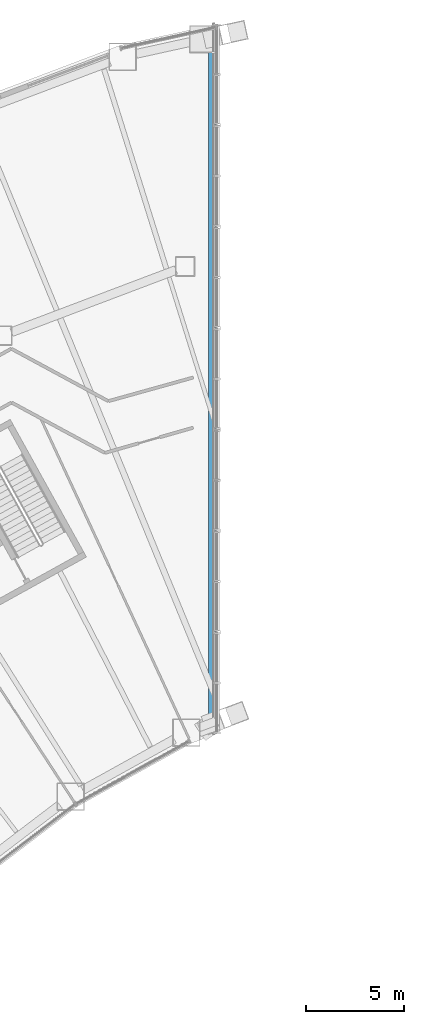
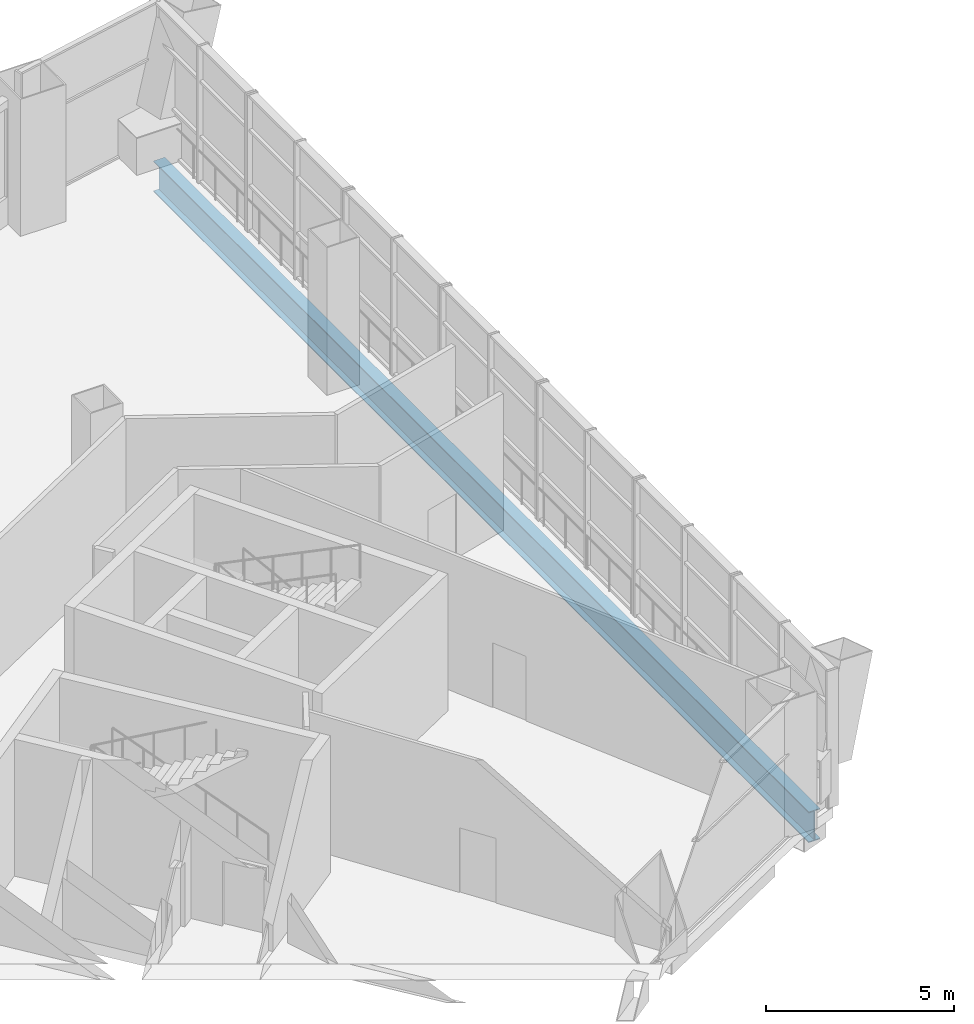
# One storey, part 8 of 26: 1 beam.
"""IFC4 building model written with IfcOpenShell, lengths in metres."""

import ifcopenshell
import ifcopenshell.guid

model = None  # the IFC model being written
_history = None  # IfcOwnerHistory: only IFC2X3 demands one
_inside = {}  # id of a spatial element -> (the spatial element, [elements in it])
_under = {}  # id of a project, library or spatial element -> (it, [spatial elements below it])
_declared = {}  # id of a project -> (the project, [libraries it declares])
_typed = {}  # id of a type object -> (the type object, [elements of that type])
_made_of = {}  # id of a material, layer set ... -> (it, [elements and type objects made of it])


def new_model(schema):
    """Start an empty IFC model of exactly this schema.

    Asked for "IFC4X3", IfcOpenShell would pick the latest addendum, in which some entities
    have other attributes; the version numbers below select the first issue.
    IFC2X3 requires an IfcOwnerHistory on every rooted entity: one is made here for all.
    """
    global model, _history
    if schema == "IFC4X3":
        model = ifcopenshell.file(schema_version=(4, 3, 0, 0))
    else:
        model = ifcopenshell.file(schema=schema)
    _inside.clear()
    _under.clear()
    _declared.clear()
    _typed.clear()
    _made_of.clear()
    _history = None
    if model.schema == "IFC2X3":
        org = make("IfcOrganization", Name="unknown")
        user = make(
            "IfcPersonAndOrganization",
            ThePerson=make("IfcPerson", FamilyName="unknown"),
            TheOrganization=org,
        )
        app = make(
            "IfcApplication",
            ApplicationDeveloper=org,
            Version="unknown",
            ApplicationFullName="unknown",
            ApplicationIdentifier="unknown",
        )
        _history = make(
            "IfcOwnerHistory",
            OwningUser=user,
            OwningApplication=app,
            ChangeAction="ADDED",
            CreationDate=0,
        )
    return model


def make(cls, **values):
    """One entity of the class cls with the attributes given. An attribute that is None is left unset."""
    return model.create_entity(
        cls, **{name: value for name, value in values.items() if value is not None}
    )


def rooted(cls, **values):
    """An entity with a GlobalId (a new one), such as an element, a storey or a relation."""
    return make(cls, GlobalId=ifcopenshell.guid.new(), OwnerHistory=_history, **values)


def si_unit(unit_type, name, prefix=None):
    """IfcSIUnit, for example si_unit("LENGTHUNIT", "METRE", prefix="MILLI")."""
    return make("IfcSIUnit", UnitType=unit_type, Prefix=prefix, Name=name)


def assignment(units):
    """IfcUnitAssignment: the units of a project."""
    return None if units is None else make("IfcUnitAssignment", Units=units)


def point(xyz):
    """IfcCartesianPoint."""
    return None if xyz is None else make("IfcCartesianPoint", Coordinates=xyz)


def direction(xyz):
    """IfcDirection."""
    return None if xyz is None else make("IfcDirection", DirectionRatios=xyz)


def frame(location, z_axis=None, x_axis=None):
    """IfcAxis2Placement3D, a coordinate frame: its origin and axes. An axis left out is left unset."""
    return make(
        "IfcAxis2Placement3D",
        Location=point(location),
        Axis=direction(z_axis),
        RefDirection=direction(x_axis),
    )


def frame_2d(location, x_axis=None):
    """IfcAxis2Placement2D, a coordinate frame in the plane: its origin and x axis."""
    return make(
        "IfcAxis2Placement2D", Location=point(location), RefDirection=direction(x_axis)
    )


def origin():
    """The frame at (0, 0, 0) with its axes left unset."""
    return frame((0.0, 0.0, 0.0))


def origin_2d():
    """The frame at (0, 0) in the plane with its x axis left unset."""
    return frame_2d((0.0, 0.0))


def place(relative_to, where):
    """IfcLocalPlacement: puts the frame where relative to a parent placement (None: the world)."""
    return make(
        "IfcLocalPlacement", PlacementRelTo=relative_to, RelativePlacement=where
    )


def context(
    kind, dimensions, precision=None, world=None, true_north=None, identifier=None
):
    """IfcGeometricRepresentationContext, for example the 3D "Model" context."""
    return make(
        "IfcGeometricRepresentationContext",
        ContextIdentifier=identifier,
        ContextType=kind,
        CoordinateSpaceDimension=dimensions,
        Precision=precision,
        WorldCoordinateSystem=world,
        TrueNorth=true_north,
    )


def subcontext(parent, identifier, kind, view, scale=None):
    """IfcGeometricRepresentationSubContext, for example "Body" below "Model"."""
    return make(
        "IfcGeometricRepresentationSubContext",
        ContextIdentifier=identifier,
        ContextType=kind,
        ParentContext=parent,
        TargetScale=scale,
        TargetView=view,
    )


def project(units=None, contexts=None):
    """IfcProject with its units and contexts."""
    return rooted(
        "IfcProject",
        Name="project",
        RepresentationContexts=contexts,
        UnitsInContext=assignment(units),
    )


def spatial(cls, under=None, at=None, **own):
    """A site, building, storey or space (cls), placed at a placement, below another one or the project."""
    s = rooted(cls, ObjectPlacement=at, **own)
    if under is not None:
        _under.setdefault(under.id(), (under, []))[1].append(s)
    return s


def profile(cls, at=None, kind="AREA", **sizes):
    """A parametric profile (cls). Its sizes go by their IFC names, for example OverallWidth=200.0."""
    return make(cls, ProfileType=kind, Position=at, **sizes)


def i_section(**sizes):
    """IfcIShapeProfileDef."""
    return profile("IfcIShapeProfileDef", **sizes)


def extrude(swept, where, along, depth):
    """IfcExtrudedAreaSolid: the profile swept, set in the frame where, extruded along a direction by depth."""
    return make(
        "IfcExtrudedAreaSolid",
        SweptArea=swept,
        Position=where,
        ExtrudedDirection=direction(along),
        Depth=depth,
    )


def shape(context_of_items, identifier, shape_type, items):
    """IfcShapeRepresentation: the items that make up one representation, for example the "Body"."""
    return make(
        "IfcShapeRepresentation",
        ContextOfItems=context_of_items,
        RepresentationIdentifier=identifier,
        RepresentationType=shape_type,
        Items=items,
    )


def material(Name=None, Category=None):
    """IfcMaterial."""
    return make("IfcMaterial", Name=Name, Category=Category)


def material_profile(
    of_material, cross_section, Name=None, Category=None, Priority=None
):
    """IfcMaterialProfile: a cross section and its material."""
    return make(
        "IfcMaterialProfile",
        Name=Name,
        Material=of_material,
        Profile=cross_section,
        Priority=Priority,
        Category=Category,
    )


def profile_set(profiles, Name=None, composite=None):
    """IfcMaterialProfileSet."""
    return make(
        "IfcMaterialProfileSet",
        Name=Name,
        MaterialProfiles=profiles,
        CompositeProfile=composite,
    )


def made_of(thing, what):
    """Note that an element or type object is made of a material, layer set ...; save() writes the relation."""
    if what is not None:
        _made_of.setdefault(what.id(), (what, []))[1].append(thing)
    return thing


def type_object(cls, material=None, **own):
    """A type object (cls), such as IfcWallType, which elements share."""
    return made_of(rooted(cls, **own), material)


def element(
    cls,
    number,
    at=None,
    inside=None,
    cuts=None,
    type_object=None,
    material=None,
    context=None,
    identifier="Body",
    shape_type=None,
    held_by="IfcProductDefinitionShape",
    body=None,
    shapes=None,
    **own,
):
    """One element of the class cls, such as IfcWall. Its Tag is "e" and its number.

    at: its placement. inside: the storey or other place that contains it. cuts: it is an
    opening in that element (IfcRelVoidsElement). A single representation is given by context,
    identifier, shape_type and body (its items); several are given by shapes. held_by: the class
    of the entity that holds the representations. save() writes the other relations.
    """
    e = rooted(cls, Tag="e%d" % number, ObjectPlacement=at, **own)
    if body is not None:
        shapes = [shape(context, identifier, shape_type, body)]
    if shapes is not None:
        e.Representation = make(held_by, Representations=shapes)
    if inside is not None:
        _inside.setdefault(inside.id(), (inside, []))[1].append(e)
    if cuts is not None:
        rooted(
            "IfcRelVoidsElement", RelatingBuildingElement=cuts, RelatedOpeningElement=e
        )
    if type_object is not None:
        _typed.setdefault(type_object.id(), (type_object, []))[1].append(e)
    return made_of(e, material)


def aggregate(whole, parts):
    """IfcRelAggregates: a whole, such as a stair, and the parts it consists of."""
    return rooted("IfcRelAggregates", RelatingObject=whole, RelatedObjects=parts)


def save(model, path):
    """Write the relations noted so far, then the file.

    IfcRelAggregates (storeys below a building ...), IfcRelContainedInSpatialStructure (elements
    in a storey), IfcRelDefinesByType, IfcRelAssociatesMaterial and IfcRelDeclares: one each for
    every whole, place, type object, material and project.
    """
    for whole, parts in _under.values():
        aggregate(whole, parts)
    for where, things in _inside.values():
        rooted(
            "IfcRelContainedInSpatialStructure",
            RelatedElements=things,
            RelatingStructure=where,
        )
    for kind, things in _typed.values():
        rooted("IfcRelDefinesByType", RelatedObjects=things, RelatingType=kind)
    for what, things in _made_of.values():
        rooted("IfcRelAssociatesMaterial", RelatedObjects=things, RelatingMaterial=what)
    for by, libraries in _declared.values():
        rooted("IfcRelDeclares", RelatingContext=by, RelatedDefinitions=libraries)
    model.write(path)


model = new_model("IFC4")

# Units and contexts
model_context = context("Model", 3, precision=1e-05, world=origin(), true_north=direction((0.0, 1.0)))
body_context = subcontext(model_context, "Body", "Model", "MODEL_VIEW")
ifc_project = project(units=[si_unit("LENGTHUNIT", "METRE"), si_unit("AREAUNIT", "SQUARE_METRE"), si_unit("VOLUMEUNIT", "CUBIC_METRE"), si_unit("PLANEANGLEUNIT", "RADIAN"), si_unit("MASSUNIT", "GRAM", prefix="KILO")], contexts=[model_context])

# Site, building, storey
site_placement = place(None, origin())
site = spatial("IfcSite", under=ifc_project, at=site_placement, CompositionType="ELEMENT")
building_placement = place(site_placement, origin())
building = spatial("IfcBuilding", under=site, at=building_placement, Name="Tuul Gate Civic Tower", CompositionType="ELEMENT")
storey_placement = place(building_placement, frame((0.0, 0.0, 7.5)))
storey = spatial("IfcBuildingStorey", under=building, at=storey_placement, Name="Level 01", CompositionType="ELEMENT", Elevation=7.5)

# Beam
ifc_material = material(Name="Steel S355", Category="steel")
ifc_material_profile = material_profile(ifc_material, i_section(OverallWidth=0.35009765625, OverallDepth=1.0, WebThickness=0.01611328125, FlangeThickness=0.030029296875, at=origin_2d()), Name="PG1000x350x16x30")
ifc_profile_set = profile_set([ifc_material_profile], Name="Steel S355")
beam_type = type_object("IfcBeamType", Name="STR-RING BEAM-PG1000x350x16x30", PredefinedType="BEAM", material=ifc_profile_set)
beam_placement = place(storey_placement, frame((-18.25, -17.28857421875, -0.85009765625), z_axis=(0.0, 1.0, 0.0), x_axis=(-1.0, 0.0, 0.0)))
element("IfcBeam", 1, at=beam_placement, inside=storey, type_object=beam_type, Name="Tunnel edge beam", PredefinedType="BEAM", context=body_context, shape_type="SweptSolid", body=[
    extrude(i_section(OverallWidth=0.35009765625, OverallDepth=1.0, WebThickness=0.01611328125, FlangeThickness=0.030029296875, at=origin_2d()), origin(), (0.0, 0.0, 1.0), 34.884521484375),
])

save(model, "model.ifc")
